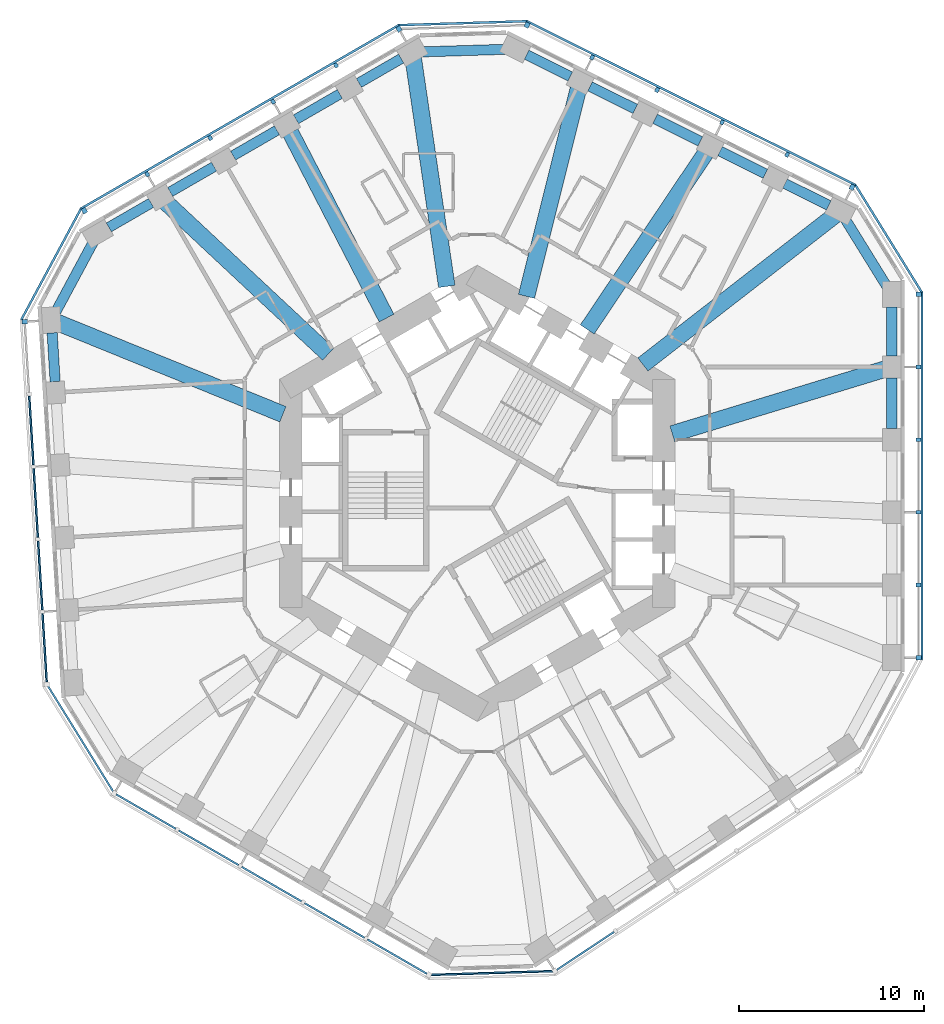
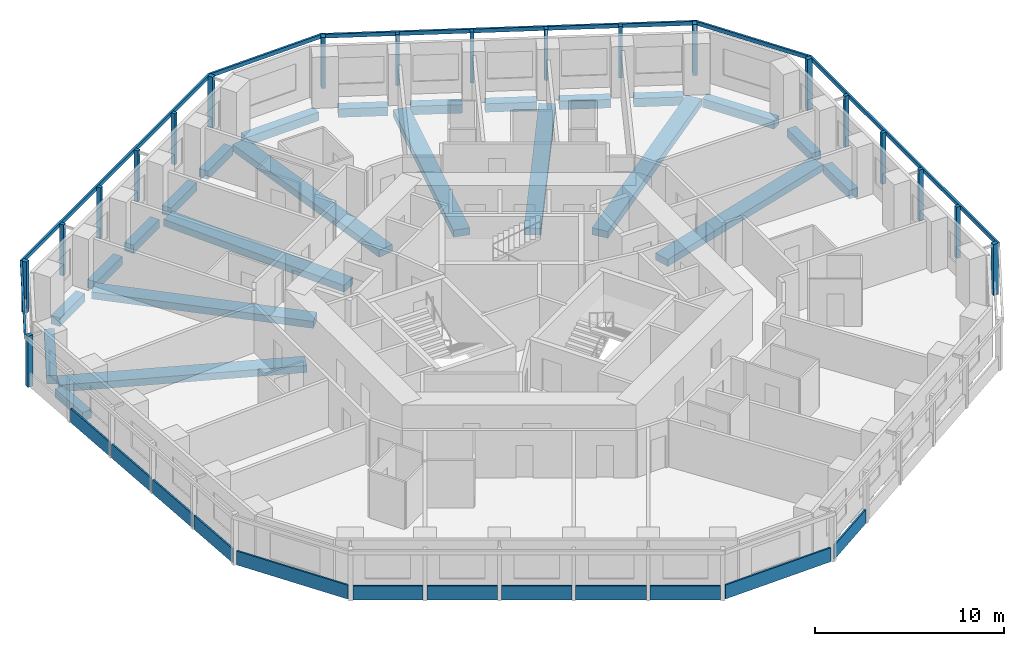
# One storey, part 2 of 12: 25 members, 24 beams, 12 plates, 11 elements without a shape of their own.
"""IFC4 building model written with IfcOpenShell, lengths in metres."""

from ifc_helpers import new_model, si_unit, direction, frame, origin, origin_2d, place, context, subcontext, project, spatial, rectangle, extrude, material, layer, layer_set, material_profile, profile_set, type_object, element, aggregate, save


model = new_model("IFC4")

# Units and contexts
model_context = context("Model", 3, precision=1e-05, world=origin(), true_north=direction((0.0, 1.0)))
body_context = subcontext(model_context, "Body", "Model", "MODEL_VIEW")
ifc_project = project(units=[si_unit("LENGTHUNIT", "METRE"), si_unit("AREAUNIT", "SQUARE_METRE"), si_unit("VOLUMEUNIT", "CUBIC_METRE"), si_unit("PLANEANGLEUNIT", "RADIAN"), si_unit("MASSUNIT", "GRAM", prefix="KILO")], contexts=[model_context])

# Site, building, storey
site_placement = place(None, origin())
site = spatial("IfcSite", under=ifc_project, at=site_placement, CompositionType="ELEMENT")
building_placement = place(site_placement, origin())
building = spatial("IfcBuilding", under=site, at=building_placement, Name="Vanh Sen Convention Tower", CompositionType="ELEMENT")
storey_placement = place(building_placement, frame((0.0, 0.0, 67.10009765625)))
storey = spatial("IfcBuildingStorey", under=building, at=storey_placement, Name="L14", CompositionType="ELEMENT", Elevation=67.10009765625)

# Curtain wall, members
ifc_material_1 = material(Name="Concrete C50/60", Category="concrete")
curtain_wall_type = type_object("IfcCurtainWallType", Name="Outer skin hotel zone", PredefinedType="NOTDEFINED", material=ifc_material_1)
curtain_wall_1_placement = place(storey_placement, origin())
curtain_wall_1 = element("IfcCurtainWall", 1, at=curtain_wall_1_placement, inside=storey, type_object=curtain_wall_type, Name="OUTER SKIN E L14", PredefinedType="NOTDEFINED")
ifc_material_profile_1 = material_profile(ifc_material_1, rectangle(XDim=0.25, YDim=0.300048828125, at=origin_2d()), Name="Outer skin precast corner fin 250 x 300")
ifc_profile_set_1 = profile_set([ifc_material_profile_1], Name="Concrete C50/60")
member_type_1 = type_object("IfcMemberType", Name="Outer skin precast corner fin 250 x 300", PredefinedType="MULLION", material=ifc_profile_set_1)
member_1_placement = place(storey_placement, frame((23.89990234375, -8.899169921875, 0.0), z_axis=(0.0, 0.0, 1.0), x_axis=(0.0, 1.0, 0.0)))
member_1 = element("IfcMember", 2, at=member_1_placement, type_object=member_type_1, Name="OUTER SKIN CORNER FIN 1 E L14", PredefinedType="MULLION", context=body_context, shape_type="SweptSolid", body=[
    extrude(rectangle(XDim=0.25, YDim=0.300048828125, at=origin_2d()), origin(), (0.0, 0.0, 1.0), 3.2998046875),
])
member_2_placement = place(storey_placement, frame((23.89990234375, 10.773681640625, 0.0), z_axis=(0.0, 0.0, 1.0), x_axis=(0.0, 1.0, 0.0)))
member_2 = element("IfcMember", 3, at=member_2_placement, type_object=member_type_1, Name="OUTER SKIN CORNER FIN 6 E L14", PredefinedType="MULLION", context=body_context, shape_type="SweptSolid", body=[
    extrude(rectangle(XDim=0.25, YDim=0.300048828125, at=origin_2d()), origin(), (0.0, 0.0, 1.0), 3.2998046875),
])

curtain_wall_2_placement = place(storey_placement, origin())
curtain_wall_2 = element("IfcCurtainWall", 4, at=curtain_wall_2_placement, inside=storey, type_object=curtain_wall_type, Name="OUTER SKIN NE L14", PredefinedType="NOTDEFINED")
member_3_placement = place(storey_placement, frame((20.305908203125, 16.581787109375, 0.0), z_axis=(0.0, 0.0, 1.0), x_axis=(-0.894934361602, 0.44619781311, 0.0)))
member_3 = element("IfcMember", 5, at=member_3_placement, type_object=member_type_1, Name="OUTER SKIN CORNER FIN 1 NE L14", PredefinedType="MULLION", context=body_context, shape_type="SweptSolid", body=[
    extrude(rectangle(XDim=0.25, YDim=0.300048828125, at=origin_2d()), origin(), (0.0, 0.0, 1.0), 3.2998046875),
])
member_4_placement = place(storey_placement, frame((2.699951171875, 25.35986328125, 0.0), z_axis=(0.0, 0.0, 1.0), x_axis=(-0.894934361602, 0.44619781311, 0.0)))
member_4 = element("IfcMember", 6, at=member_4_placement, type_object=member_type_1, Name="OUTER SKIN CORNER FIN 6 NE L14", PredefinedType="MULLION", context=body_context, shape_type="SweptSolid", body=[
    extrude(rectangle(XDim=0.25, YDim=0.300048828125, at=origin_2d()), origin(), (0.0, 0.0, 1.0), 3.2998046875),
])

curtain_wall_3_placement = place(storey_placement, origin())
curtain_wall_3 = element("IfcCurtainWall", 7, at=curtain_wall_3_placement, inside=storey, type_object=curtain_wall_type, Name="OUTER SKIN NW L14", PredefinedType="NOTDEFINED")
member_5_placement = place(storey_placement, frame((-4.242919921875, 25.147705078125, 0.0), z_axis=(0.0, 0.0, 1.0), x_axis=(-0.866025403784, -0.5, 0.0)))
member_5 = element("IfcMember", 8, at=member_5_placement, type_object=member_type_1, Name="OUTER SKIN CORNER FIN 1 NW L14", PredefinedType="MULLION", context=body_context, shape_type="SweptSolid", body=[
    extrude(rectangle(XDim=0.25, YDim=0.300048828125, at=origin_2d()), origin(), (0.0, 0.0, 1.0), 3.2998046875),
])
member_6_placement = place(storey_placement, frame((-21.2802734375, 15.31103515625, 0.0), z_axis=(0.0, 0.0, 1.0), x_axis=(-0.866025403784, -0.5, 0.0)))
member_6 = element("IfcMember", 9, at=member_6_placement, type_object=member_type_1, Name="OUTER SKIN CORNER FIN 6 NW L14", PredefinedType="MULLION", context=body_context, shape_type="SweptSolid", body=[
    extrude(rectangle(XDim=0.25, YDim=0.300048828125, at=origin_2d()), origin(), (0.0, 0.0, 1.0), 3.2998046875),
])

# Curtain wall, member
curtain_wall_4_placement = place(storey_placement, origin())
curtain_wall_4 = element("IfcCurtainWall", 10, at=curtain_wall_4_placement, inside=storey, type_object=curtain_wall_type, Name="OUTER SKIN W L14", PredefinedType="NOTDEFINED")
member_7_placement = place(storey_placement, frame((-24.51318359375, 9.294677734375, 0.0), z_axis=(0.0, 0.0, 1.0), x_axis=(0.061048539535, -0.998134798422, 0.0)))
member_7 = element("IfcMember", 11, at=member_7_placement, type_object=member_type_1, Name="OUTER SKIN CORNER FIN 1 W L14", PredefinedType="MULLION", context=body_context, shape_type="SweptSolid", body=[
    extrude(rectangle(XDim=0.25, YDim=0.300048828125, at=origin_2d()), origin(), (0.0, 0.0, 1.0), 3.2998046875),
])

# Member
ifc_material_profile_2 = material_profile(ifc_material_1, rectangle(XDim=0.199951171875, YDim=0.25, at=origin_2d()), Name="Outer skin precast fin 200 x 250")
ifc_profile_set_2 = profile_set([ifc_material_profile_2], Name="Concrete C50/60")
member_type_2 = type_object("IfcMemberType", Name="Outer skin precast fin 200 x 250", PredefinedType="MULLION", material=ifc_profile_set_2)
member_8_placement = place(storey_placement, frame((23.89990234375, -4.964599609375, 0.0), z_axis=(0.0, 0.0, 1.0), x_axis=(0.0, 1.0, 0.0)))
member_8 = element("IfcMember", 12, at=member_8_placement, type_object=member_type_2, Name="OUTER SKIN fin 2 E L14", PredefinedType="MULLION", context=body_context, shape_type="SweptSolid", body=[
    extrude(rectangle(XDim=0.199951171875, YDim=0.25, at=origin_2d()), origin(), (0.0, 0.0, 1.0), 3.2998046875),
])

member_9_placement = place(storey_placement, frame((23.89990234375, -1.030029296875, 0.0), z_axis=(0.0, 0.0, 1.0), x_axis=(0.0, 1.0, 0.0)))
member_9 = element("IfcMember", 13, at=member_9_placement, type_object=member_type_2, Name="OUTER SKIN fin 3 E L14", PredefinedType="MULLION", context=body_context, shape_type="SweptSolid", body=[
    extrude(rectangle(XDim=0.199951171875, YDim=0.25, at=origin_2d()), origin(), (0.0, 0.0, 1.0), 3.2998046875),
])

member_10_placement = place(storey_placement, frame((23.89990234375, 2.904541015625, 0.0), z_axis=(0.0, 0.0, 1.0), x_axis=(0.0, 1.0, 0.0)))
member_10 = element("IfcMember", 14, at=member_10_placement, type_object=member_type_2, Name="OUTER SKIN fin 4 E L14", PredefinedType="MULLION", context=body_context, shape_type="SweptSolid", body=[
    extrude(rectangle(XDim=0.199951171875, YDim=0.25, at=origin_2d()), origin(), (0.0, 0.0, 1.0), 3.2998046875),
])

member_11_placement = place(storey_placement, frame((23.89990234375, 6.839111328125, 0.0), z_axis=(0.0, 0.0, 1.0), x_axis=(0.0, 1.0, 0.0)))
member_11 = element("IfcMember", 15, at=member_11_placement, type_object=member_type_2, Name="OUTER SKIN fin 5 E L14", PredefinedType="MULLION", context=body_context, shape_type="SweptSolid", body=[
    extrude(rectangle(XDim=0.199951171875, YDim=0.25, at=origin_2d()), origin(), (0.0, 0.0, 1.0), 3.2998046875),
])

member_12_placement = place(storey_placement, frame((16.78466796875, 18.33740234375, 0.0), z_axis=(0.0, 0.0, 1.0), x_axis=(-0.894934361602, 0.44619781311, 0.0)))
member_12 = element("IfcMember", 16, at=member_12_placement, type_object=member_type_2, Name="OUTER SKIN fin 2 NE L14", PredefinedType="MULLION", context=body_context, shape_type="SweptSolid", body=[
    extrude(rectangle(XDim=0.199951171875, YDim=0.25, at=origin_2d()), origin(), (0.0, 0.0, 1.0), 3.2998046875),
])

member_13_placement = place(storey_placement, frame((13.263427734375, 20.093017578125, 0.0), z_axis=(0.0, 0.0, 1.0), x_axis=(-0.894934361602, 0.44619781311, 0.0)))
member_13 = element("IfcMember", 17, at=member_13_placement, type_object=member_type_2, Name="OUTER SKIN fin 3 NE L14", PredefinedType="MULLION", context=body_context, shape_type="SweptSolid", body=[
    extrude(rectangle(XDim=0.199951171875, YDim=0.25, at=origin_2d()), origin(), (0.0, 0.0, 1.0), 3.2998046875),
])

member_14_placement = place(storey_placement, frame((9.7421875, 21.8486328125, 0.0), z_axis=(0.0, 0.0, 1.0), x_axis=(-0.894934361602, 0.44619781311, 0.0)))
member_14 = element("IfcMember", 18, at=member_14_placement, type_object=member_type_2, Name="OUTER SKIN fin 4 NE L14", PredefinedType="MULLION", context=body_context, shape_type="SweptSolid", body=[
    extrude(rectangle(XDim=0.199951171875, YDim=0.25, at=origin_2d()), origin(), (0.0, 0.0, 1.0), 3.2998046875),
])

member_15_placement = place(storey_placement, frame((6.22119140625, 23.604248046875, 0.0), z_axis=(0.0, 0.0, 1.0), x_axis=(-0.894934361602, 0.44619781311, 0.0)))
member_15 = element("IfcMember", 19, at=member_15_placement, type_object=member_type_2, Name="OUTER SKIN fin 5 NE L14", PredefinedType="MULLION", context=body_context, shape_type="SweptSolid", body=[
    extrude(rectangle(XDim=0.199951171875, YDim=0.25, at=origin_2d()), origin(), (0.0, 0.0, 1.0), 3.2998046875),
])

member_16_placement = place(storey_placement, frame((-7.650390625, 23.180419921875, 0.0), z_axis=(0.0, 0.0, 1.0), x_axis=(-0.866025403784, -0.5, 0.0)))
member_16 = element("IfcMember", 20, at=member_16_placement, type_object=member_type_2, Name="OUTER SKIN fin 2 NW L14", PredefinedType="MULLION", context=body_context, shape_type="SweptSolid", body=[
    extrude(rectangle(XDim=0.199951171875, YDim=0.25, at=origin_2d()), origin(), (0.0, 0.0, 1.0), 3.2998046875),
])

member_17_placement = place(storey_placement, frame((-11.057861328125, 21.212890625, 0.0), z_axis=(0.0, 0.0, 1.0), x_axis=(-0.866025403784, -0.5, 0.0)))
member_17 = element("IfcMember", 21, at=member_17_placement, type_object=member_type_2, Name="OUTER SKIN fin 3 NW L14", PredefinedType="MULLION", context=body_context, shape_type="SweptSolid", body=[
    extrude(rectangle(XDim=0.199951171875, YDim=0.25, at=origin_2d()), origin(), (0.0, 0.0, 1.0), 3.2998046875),
])

member_18_placement = place(storey_placement, frame((-14.46533203125, 19.24560546875, 0.0), z_axis=(0.0, 0.0, 1.0), x_axis=(-0.866025403784, -0.5, 0.0)))
member_18 = element("IfcMember", 22, at=member_18_placement, type_object=member_type_2, Name="OUTER SKIN fin 4 NW L14", PredefinedType="MULLION", context=body_context, shape_type="SweptSolid", body=[
    extrude(rectangle(XDim=0.199951171875, YDim=0.25, at=origin_2d()), origin(), (0.0, 0.0, 1.0), 3.2998046875),
])

member_19_placement = place(storey_placement, frame((-17.872802734375, 17.2783203125, 0.0), z_axis=(0.0, 0.0, 1.0), x_axis=(-0.866025403784, -0.5, 0.0)))
member_19 = element("IfcMember", 23, at=member_19_placement, type_object=member_type_2, Name="OUTER SKIN fin 5 NW L14", PredefinedType="MULLION", context=body_context, shape_type="SweptSolid", body=[
    extrude(rectangle(XDim=0.199951171875, YDim=0.25, at=origin_2d()), origin(), (0.0, 0.0, 1.0), 3.2998046875),
])

ifc_material_profile_3 = material_profile(ifc_material_1, rectangle(XDim=0.1201171875, YDim=0.25, at=origin_2d()), Name="Outer skin precast spandrel band 250 x 120")
ifc_profile_set_3 = profile_set([ifc_material_profile_3], Name="Concrete C50/60")
member_type_3 = type_object("IfcMemberType", Name="Outer skin precast spandrel band 250 x 120", PredefinedType="USERDEFINED", material=ifc_profile_set_3)
member_20_placement = place(storey_placement, frame((24.0849609375, -9.024169921875, 3.1748046875), z_axis=(0.0, 1.0, 0.0), x_axis=(-1.0, 0.0, 0.0)))
member_20 = element("IfcMember", 24, at=member_20_placement, type_object=member_type_3, Name="OUTER SKIN spandrel band E L14", ObjectType="TRANSOM", PredefinedType="USERDEFINED", context=body_context, shape_type="SweptSolid", body=[
    extrude(rectangle(XDim=0.1201171875, YDim=0.25, at=origin_2d()), origin(), (0.0, 0.0, 1.0), 19.9228515625),
])

aggregate(curtain_wall_1, [member_1, member_8, member_9, member_10, member_11, member_2, member_20])

# Curtain wall, member
curtain_wall_5_placement = place(storey_placement, origin())
curtain_wall_5 = element("IfcCurtainWall", 25, at=curtain_wall_5_placement, inside=storey, type_object=curtain_wall_type, Name="OUTER SKIN CH1 L14", PredefinedType="NOTDEFINED")
member_21_placement = place(storey_placement, frame((24.07861328125, 10.88427734375, 3.1748046875), z_axis=(-0.526195864379, 0.850363400148, 0.0), x_axis=(-0.850363400148, -0.526195864379, 0.0)))
member_21 = element("IfcMember", 26, at=member_21_placement, type_object=member_type_3, Name="OUTER SKIN spandrel band CH1 L14", ObjectType="TRANSOM", PredefinedType="USERDEFINED", context=body_context, shape_type="SweptSolid", body=[
    extrude(rectangle(XDim=0.1201171875, YDim=0.25, at=origin_2d()), origin(), (0.0, 0.0, 1.0), 6.830078125),
])
aggregate(curtain_wall_5, [member_21])

# Member
member_22_placement = place(storey_placement, frame((20.500244140625, 16.69140625, 3.1748046875), z_axis=(-0.894931498167, 0.446203556227, 0.0), x_axis=(-0.446203556227, -0.894931498167, 0.0)))
member_22 = element("IfcMember", 27, at=member_22_placement, type_object=member_type_3, Name="OUTER SKIN spandrel band NE L14", ObjectType="TRANSOM", PredefinedType="USERDEFINED", context=body_context, shape_type="SweptSolid", body=[
    extrude(rectangle(XDim=0.1201171875, YDim=0.25, at=origin_2d()), origin(), (0.0, 0.0, 1.0), 19.9228515625),
])

aggregate(curtain_wall_2, [member_3, member_12, member_13, member_14, member_15, member_4, member_22])

# Curtain wall, member
curtain_wall_6_placement = place(storey_placement, origin())
curtain_wall_6 = element("IfcCurtainWall", 28, at=curtain_wall_6_placement, inside=storey, type_object=curtain_wall_type, Name="OUTER SKIN CH2 L14", PredefinedType="NOTDEFINED")
member_23_placement = place(storey_placement, frame((2.693603515625, 25.569580078125, 3.1748046875), z_axis=(-0.999533472857, -0.030542374483, 0.0), x_axis=(0.030542374483, -0.999533472857, 0.0)))
member_23 = element("IfcMember", 29, at=member_23_placement, type_object=member_type_3, Name="OUTER SKIN spandrel band CH2 L14", ObjectType="TRANSOM", PredefinedType="USERDEFINED", context=body_context, shape_type="SweptSolid", body=[
    extrude(rectangle(XDim=0.1201171875, YDim=0.25, at=origin_2d()), origin(), (0.0, 0.0, 1.0), 6.9462890625),
])
aggregate(curtain_wall_6, [member_23])

# Member
member_24_placement = place(storey_placement, frame((-4.227294921875, 25.370361328125, 3.1748046875), z_axis=(-0.866028047459, -0.499995420993, 0.0), x_axis=(0.499995420993, -0.866028047459, 0.0)))
member_24 = element("IfcMember", 30, at=member_24_placement, type_object=member_type_3, Name="OUTER SKIN spandrel band NW L14", ObjectType="TRANSOM", PredefinedType="USERDEFINED", context=body_context, shape_type="SweptSolid", body=[
    extrude(rectangle(XDim=0.1201171875, YDim=0.25, at=origin_2d()), origin(), (0.0, 0.0, 1.0), 19.923095703125),
])

aggregate(curtain_wall_3, [member_5, member_16, member_17, member_18, member_19, member_6, member_24])

# Curtain wall, member
curtain_wall_7_placement = place(storey_placement, origin())
curtain_wall_7 = element("IfcCurtainWall", 31, at=curtain_wall_7_placement, inside=storey, type_object=curtain_wall_type, Name="OUTER SKIN CH3 L14", PredefinedType="NOTDEFINED")
member_25_placement = place(storey_placement, frame((-21.46533203125, 15.410400390625, 3.1748046875), z_axis=(-0.473315186561, -0.880893145717, 0.0), x_axis=(0.880893145717, -0.473315186561, 0.0)))
member_25 = element("IfcMember", 32, at=member_25_placement, type_object=member_type_3, Name="OUTER SKIN spandrel band CH3 L14", ObjectType="TRANSOM", PredefinedType="USERDEFINED", context=body_context, shape_type="SweptSolid", body=[
    extrude(rectangle(XDim=0.1201171875, YDim=0.25, at=origin_2d()), origin(), (0.0, 0.0, 1.0), 6.829833984375),
])
aggregate(curtain_wall_7, [member_25])

# Beams
ifc_material_2 = material(Name="Concrete C50/60", Category="concrete")
ifc_material_profile_4 = material_profile(ifc_material_2, rectangle(XDim=0.89990234375, YDim=0.449951171875, at=origin_2d()), Name="RC 900X450")
ifc_profile_set_4 = profile_set([ifc_material_profile_4], Name="Concrete C50/60")
beam_type_1 = type_object("IfcBeamType", Name="Radial floor beam 900 x 450", PredefinedType="BEAM", material=ifc_profile_set_4)
beam_1_placement = place(storey_placement, frame((22.0859375, 6.728271484375, -0.47509765625), z_axis=(-0.956595291153, -0.291419712689, 0.0), x_axis=(0.291419712689, -0.956595291153, 0.0)))
element("IfcBeam", 33, at=beam_1_placement, inside=storey, type_object=beam_type_1, Name="Radial beam 03 L14", PredefinedType="BEAM", context=body_context, shape_type="SweptSolid", body=[
    extrude(rectangle(XDim=0.89990234375, YDim=0.449951171875, at=origin_2d()), origin(), (0.0, 0.0, 1.0), 12.04443359375),
])
beam_2_placement = place(storey_placement, frame((19.3955078125, 15.079345703125, -0.47509765625), z_axis=(-0.789464705625, -0.61379595842, 0.0), x_axis=(0.61379595842, -0.789464705625, 0.0)))
element("IfcBeam", 34, at=beam_2_placement, inside=storey, type_object=beam_type_1, Name="Radial beam 04 L14", PredefinedType="BEAM", context=body_context, shape_type="SweptSolid", body=[
    extrude(rectangle(XDim=0.89990234375, YDim=0.449951171875, at=origin_2d()), origin(), (0.0, 0.0, 1.0), 13.204345703125),
])
beam_3_placement = place(storey_placement, frame((12.37060546875, 18.42919921875, -0.47509765625), z_axis=(-0.557321786786, -0.830296589162, 0.0), x_axis=(0.830296589162, -0.557321786786, 0.0)))
element("IfcBeam", 35, at=beam_3_placement, inside=storey, type_object=beam_type_1, Name="Radial beam 05 L14", PredefinedType="BEAM", context=body_context, shape_type="SweptSolid", body=[
    extrude(rectangle(XDim=0.89990234375, YDim=0.449951171875, at=origin_2d()), origin(), (0.0, 0.0, 1.0), 11.507080078125),
])
beam_4_placement = place(storey_placement, frame((5.475341796875, 21.9111328125, -0.47509765625), z_axis=(-0.242431531098, -0.970168517697, 0.0), x_axis=(0.970168517697, -0.242431531098, 0.0)))
element("IfcBeam", 36, at=beam_4_placement, inside=storey, type_object=beam_type_1, Name="Radial beam 06 L14", PredefinedType="BEAM", context=body_context, shape_type="SweptSolid", body=[
    extrude(rectangle(XDim=0.89990234375, YDim=0.449951171875, at=origin_2d()), origin(), (0.0, 0.0, 1.0), 11.589111328125),
])
beam_5_placement = place(storey_placement, frame((-3.46630859375, 23.541259765625, -0.47509765625), z_axis=(0.145680012358, -0.989331761342, 0.0), x_axis=(0.989331761342, 0.145680012358, 0.0)))
element("IfcBeam", 37, at=beam_5_placement, inside=storey, type_object=beam_type_1, Name="Radial beam 07 L14", PredefinedType="BEAM", context=body_context, shape_type="SweptSolid", body=[
    extrude(rectangle(XDim=0.89990234375, YDim=0.449951171875, at=origin_2d()), origin(), (0.0, 0.0, 1.0), 12.468505859375),
])
beam_6_placement = place(storey_placement, frame((-10.114501953125, 19.53564453125, -0.47509765625), z_axis=(0.459772199707, -0.88803689359, 0.0), x_axis=(0.88803689359, 0.459772199707, 0.0)))
element("IfcBeam", 38, at=beam_6_placement, inside=storey, type_object=beam_type_1, Name="Radial beam 08 L14", PredefinedType="BEAM", context=body_context, shape_type="SweptSolid", body=[
    extrude(rectangle(XDim=0.89990234375, YDim=0.449951171875, at=origin_2d()), origin(), (0.0, 0.0, 1.0), 11.31298828125),
])
beam_7_placement = place(storey_placement, frame((-16.869873046875, 15.762939453125, -0.47509765625), z_axis=(0.730668926441, -0.68273195321, 0.0), x_axis=(0.68273195321, 0.730668926441, 0.0)))
element("IfcBeam", 39, at=beam_7_placement, inside=storey, type_object=beam_type_1, Name="Radial beam 09 L14", PredefinedType="BEAM", context=body_context, shape_type="SweptSolid", body=[
    extrude(rectangle(XDim=0.89990234375, YDim=0.449951171875, at=origin_2d()), origin(), (0.0, 0.0, 1.0), 12.044921875),
])
beam_8_placement = place(storey_placement, frame((-22.7568359375, 9.25732421875, -0.47509765625), z_axis=(0.926294416538, -0.376800549216, 0.0), x_axis=(0.376800549216, 0.926294416538, 0.0)))
element("IfcBeam", 40, at=beam_8_placement, inside=storey, type_object=beam_type_1, Name="Radial beam 10 L14", PredefinedType="BEAM", context=body_context, shape_type="SweptSolid", body=[
    extrude(rectangle(XDim=0.89990234375, YDim=0.449951171875, at=origin_2d()), origin(), (0.0, 0.0, 1.0), 13.2041015625),
])
ifc_material_profile_5 = material_profile(ifc_material_2, rectangle(XDim=0.550048828125, YDim=0.550048828125, at=origin_2d()), Name="RC 550X550")
ifc_profile_set_5 = profile_set([ifc_material_profile_5], Name="Concrete C50/60")
beam_type_2 = type_object("IfcBeamType", Name="Spandrel beam 550 x 550", PredefinedType="SPANDREL", material=ifc_profile_set_5)
beam_9_placement = place(storey_placement, frame((22.449951171875, 3.49951171875, -0.525146484375), z_axis=(0.0, 1.0, 0.0), x_axis=(-1.0, 0.0, 0.0)))
element("IfcBeam", 41, at=beam_9_placement, inside=storey, type_object=beam_type_2, Name="Spandrel beam 04 L14", PredefinedType="SPANDREL", context=body_context, shape_type="SweptSolid", body=[
    extrude(rectangle(XDim=0.550048828125, YDim=0.550048828125, at=origin_2d()), origin(), (0.0, 0.0, 1.0), 2.74462890625),
])
beam_10_placement = place(storey_placement, frame((22.449951171875, 7.43408203125, -0.525146484375), z_axis=(0.0, 1.0, 0.0), x_axis=(-1.0, 0.0, 0.0)))
element("IfcBeam", 42, at=beam_10_placement, inside=storey, type_object=beam_type_2, Name="Spandrel beam 05 L14", PredefinedType="SPANDREL", context=body_context, shape_type="SweptSolid", body=[
    extrude(rectangle(XDim=0.550048828125, YDim=0.550048828125, at=origin_2d()), origin(), (0.0, 0.0, 1.0), 2.64453125),
])
beam_11_placement = place(storey_placement, frame((22.1865234375, 11.199462890625, -0.525146484375), z_axis=(-0.526204199605, 0.850358242342, 0.0), x_axis=(-0.850358242342, -0.526204199605, 0.0)))
element("IfcBeam", 43, at=beam_11_placement, inside=storey, type_object=beam_type_2, Name="Spandrel beam 06 L14", PredefinedType="SPANDREL", context=body_context, shape_type="SweptSolid", body=[
    extrude(rectangle(XDim=0.550048828125, YDim=0.550048828125, at=origin_2d()), origin(), (0.0, 0.0, 1.0), 4.302734375),
])
beam_12_placement = place(storey_placement, frame((19.036865234375, 15.59423828125, -0.525146484375), z_axis=(-0.894943581597, 0.446179320183, 0.0), x_axis=(-0.446179320183, -0.894943581597, 0.0)))
element("IfcBeam", 44, at=beam_12_placement, inside=storey, type_object=beam_type_2, Name="Spandrel beam 07 L14", PredefinedType="SPANDREL", context=body_context, shape_type="SweptSolid", body=[
    extrude(rectangle(XDim=0.550048828125, YDim=0.550048828125, at=origin_2d()), origin(), (0.0, 0.0, 1.0), 2.64453125),
])
for number, where, z_axis, x_axis, name in (
    (45, (15.605224609375, 17.30517578125, -0.525146484375), (-0.894942515368, 0.44618145881, 0.0), (-0.44618145881, -0.894942515368, 0.0), "Spandrel beam 08 L14"),
    (46, (12.083984375, 19.060791015625, -0.525146484375), (-0.894942515368, 0.44618145881, 0.0), (-0.44618145881, -0.894942515368, 0.0), "Spandrel beam 09 L14"),
):
    element("IfcBeam", number, at=place(storey_placement, frame(where, z_axis=z_axis, x_axis=x_axis)), inside=storey, type_object=beam_type_2, Name=name, PredefinedType="SPANDREL", context=body_context, shape_type="SweptSolid", body=[
        extrude(rectangle(XDim=0.550048828125, YDim=0.550048828125, at=origin_2d()), origin(), (0.0, 0.0, 1.0), 2.74462890625),
    ])
beam_13_placement = place(storey_placement, frame((8.562744140625, 20.81640625, -0.525146484375), z_axis=(-0.894924804947, 0.44621698028, 0.0), x_axis=(-0.44621698028, -0.894924804947, 0.0)))
element("IfcBeam", 47, at=beam_13_placement, inside=storey, type_object=beam_type_2, Name="Spandrel beam 10 L14", PredefinedType="SPANDREL", context=body_context, shape_type="SweptSolid", body=[
    extrude(rectangle(XDim=0.550048828125, YDim=0.550048828125, at=origin_2d()), origin(), (0.0, 0.0, 1.0), 2.744384765625),
])
beam_14_placement = place(storey_placement, frame((5.04150390625, 22.572021484375, -0.525146484375), z_axis=(-0.894943581597, 0.446179320183, 0.0), x_axis=(-0.446179320183, -0.894943581597, 0.0)))
element("IfcBeam", 48, at=beam_14_placement, inside=storey, type_object=beam_type_2, Name="Spandrel beam 11 L14", PredefinedType="SPANDREL", context=body_context, shape_type="SweptSolid", body=[
    extrude(rectangle(XDim=0.550048828125, YDim=0.550048828125, at=origin_2d()), origin(), (0.0, 0.0, 1.0), 2.64453125),
])
beam_15_placement = place(storey_placement, frame((1.513671875, 24.045654296875, -0.525146484375), z_axis=(-0.999533924707, -0.030527583592, 0.0), x_axis=(0.030527583592, -0.999533924707, 0.0)))
element("IfcBeam", 49, at=beam_15_placement, inside=storey, type_object=beam_type_2, Name="Spandrel beam 12 L14", PredefinedType="SPANDREL", context=body_context, shape_type="SweptSolid", body=[
    extrude(rectangle(XDim=0.550048828125, YDim=0.550048828125, at=origin_2d()), origin(), (0.0, 0.0, 1.0), 4.49462890625),
])
beam_16_placement = place(storey_placement, frame((-4.119873046875, 23.54443359375, -0.525146484375), z_axis=(-0.866030315638, -0.499991492324, 0.0), x_axis=(0.499991492324, -0.866030315638, 0.0)))
element("IfcBeam", 50, at=beam_16_placement, inside=storey, type_object=beam_type_2, Name="Spandrel beam 13 L14", PredefinedType="SPANDREL", context=body_context, shape_type="SweptSolid", body=[
    extrude(rectangle(XDim=0.550048828125, YDim=0.550048828125, at=origin_2d()), origin(), (0.0, 0.0, 1.0), 2.64453125),
])
beam_17_placement = place(storey_placement, frame((-7.44091796875, 21.627197265625, -0.525146484375), z_axis=(-0.866006330792, -0.500033033937, 0.0), x_axis=(0.500033033937, -0.866006330792, 0.0)))
element("IfcBeam", 51, at=beam_17_placement, inside=storey, type_object=beam_type_2, Name="Spandrel beam 14 L14", PredefinedType="SPANDREL", context=body_context, shape_type="SweptSolid", body=[
    extrude(rectangle(XDim=0.550048828125, YDim=0.550048828125, at=origin_2d()), origin(), (0.0, 0.0, 1.0), 2.744384765625),
])
for number, where, z_axis, x_axis, name in (
    (52, (-10.84814453125, 19.659912109375, -0.525146484375), (-0.866028570666, -0.499994514761, 0.0), (0.499994514761, -0.866028570666, 0.0), "Spandrel beam 15 L14"),
    (53, (-14.255615234375, 17.6923828125, -0.525146484375), (-0.866067086513, -0.499927796446, 0.0), (0.499927796446, -0.866067086513, 0.0), "Spandrel beam 16 L14"),
):
    element("IfcBeam", number, at=place(storey_placement, frame(where, z_axis=z_axis, x_axis=x_axis)), inside=storey, type_object=beam_type_2, Name=name, PredefinedType="SPANDREL", context=body_context, shape_type="SweptSolid", body=[
        extrude(rectangle(XDim=0.550048828125, YDim=0.550048828125, at=origin_2d()), origin(), (0.0, 0.0, 1.0), 2.74462890625),
    ])
beam_18_placement = place(storey_placement, frame((-17.6630859375, 15.72509765625, -0.525146484375), z_axis=(-0.866030315638, -0.499991492324, 0.0), x_axis=(0.499991492324, -0.866030315638, 0.0)))
element("IfcBeam", 54, at=beam_18_placement, inside=storey, type_object=beam_type_2, Name="Spandrel beam 17 L14", PredefinedType="SPANDREL", context=body_context, shape_type="SweptSolid", body=[
    extrude(rectangle(XDim=0.550048828125, YDim=0.550048828125, at=origin_2d()), origin(), (0.0, 0.0, 1.0), 2.64453125),
])
beam_19_placement = place(storey_placement, frame((-20.792236328125, 13.6142578125, -0.525146484375), z_axis=(-0.473348459073, -0.88087526716, 0.0), x_axis=(0.88087526716, -0.473348459073, 0.0)))
element("IfcBeam", 55, at=beam_19_placement, inside=storey, type_object=beam_type_2, Name="Spandrel beam 18 L14", PredefinedType="SPANDREL", context=body_context, shape_type="SweptSolid", body=[
    extrude(rectangle(XDim=0.550048828125, YDim=0.550048828125, at=origin_2d()), origin(), (0.0, 0.0, 1.0), 4.302490234375),
])
beam_20_placement = place(storey_placement, frame((-23.0234375, 8.689453125, -0.525146484375), z_axis=(0.061113817246, -0.998130803723, 0.0), x_axis=(0.998130803723, 0.061113817246, 0.0)))
element("IfcBeam", 56, at=beam_20_placement, inside=storey, type_object=beam_type_2, Name="Spandrel beam 19 L14", PredefinedType="SPANDREL", context=body_context, shape_type="SweptSolid", body=[
    extrude(rectangle(XDim=0.550048828125, YDim=0.550048828125, at=origin_2d()), origin(), (0.0, 0.0, 1.0), 2.64453125),
])

# Plate
ifc_layer = layer(ifc_material_1, 0.10009765625)
ifc_layer_set = layer_set([ifc_layer], Name="Concrete C50/60")
plate_type = type_object("IfcPlateType", Name="Outer skin precast screen panel 100", PredefinedType="CURTAIN_PANEL", material=ifc_layer_set)
plate_1_placement = place(storey_placement, frame((-24.15283203125, 3.40380859375, 0.0), z_axis=(0.0, 0.0, 1.0), x_axis=(0.061048539535, -0.998134798422, 0.0)))
plate_1 = element("IfcPlate", 57, at=plate_1_placement, type_object=plate_type, Name="OUTER SKIN screen panel W-2", PredefinedType="CURTAIN_PANEL", context=body_context, shape_type="SweptSolid", body=[
    extrude(rectangle(XDim=3.734619140625, YDim=0.10009765625, at=origin_2d()), origin(), (0.0, 0.0, 1.0), 0.89990234375),
])

plate_2_placement = place(storey_placement, frame((-23.91259765625, -0.523681640625, 0.0), z_axis=(0.0, 0.0, 1.0), x_axis=(0.061046797461, -0.99813490497, 0.0)))
plate_2 = element("IfcPlate", 58, at=plate_2_placement, type_object=plate_type, Name="OUTER SKIN screen panel W-3", PredefinedType="CURTAIN_PANEL", context=body_context, shape_type="SweptSolid", body=[
    extrude(rectangle(XDim=3.734619140625, YDim=0.10009765625, at=origin_2d()), origin(), (0.0, 0.0, 1.0), 0.89990234375),
])

plate_3_placement = place(storey_placement, frame((-23.67236328125, -4.45068359375, 0.0), z_axis=(0.0, 0.0, 1.0), x_axis=(0.061048539535, -0.998134798422, 0.0)))
plate_3 = element("IfcPlate", 59, at=plate_3_placement, type_object=plate_type, Name="OUTER SKIN screen panel W-4", PredefinedType="CURTAIN_PANEL", context=body_context, shape_type="SweptSolid", body=[
    extrude(rectangle(XDim=3.734619140625, YDim=0.10009765625, at=origin_2d()), origin(), (0.0, 0.0, 1.0), 0.89990234375),
])

plate_4_placement = place(storey_placement, frame((-23.43310546875, -8.365478515625, 0.0), z_axis=(0.0, 0.0, 1.0), x_axis=(0.061046797461, -0.99813490497, 0.0)))
plate_4 = element("IfcPlate", 60, at=plate_4_placement, type_object=plate_type, Name="OUTER SKIN screen panel W-5", PredefinedType="CURTAIN_PANEL", context=body_context, shape_type="SweptSolid", body=[
    extrude(rectangle(XDim=3.709716796875, YDim=0.10009765625, at=origin_2d()), origin(), (0.0, 0.0, 1.0), 0.89990234375),
])

aggregate(curtain_wall_4, [member_7, plate_1, plate_2, plate_3, plate_4])

# Curtain wall, plate
curtain_wall_8_placement = place(storey_placement, origin())
curtain_wall_8 = element("IfcCurtainWall", 61, at=curtain_wall_8_placement, inside=storey, type_object=curtain_wall_type, Name="OUTER SKIN CH4 L14", PredefinedType="NOTDEFINED")
plate_5_placement = place(storey_placement, frame((-21.484619140625, -13.295166015625, 0.0), z_axis=(0.0, 0.0, 1.0), x_axis=(0.526205018755, -0.850357735448, 0.0)))
plate_5 = element("IfcPlate", 62, at=plate_5_placement, type_object=plate_type, Name="OUTER SKIN screen panel CH4-1", PredefinedType="CURTAIN_PANEL", context=body_context, shape_type="SweptSolid", body=[
    extrude(rectangle(XDim=6.6962890625, YDim=0.10009765625, at=origin_2d()), origin(), (0.0, 0.0, 1.0), 0.89990234375),
])
aggregate(curtain_wall_8, [plate_5])

# Curtain wall, plates
curtain_wall_9_placement = place(storey_placement, origin())
curtain_wall_9 = element("IfcCurtainWall", 63, at=curtain_wall_9_placement, inside=storey, type_object=curtain_wall_type, Name="OUTER SKIN SW L14", PredefinedType="NOTDEFINED")
plate_6_placement = place(storey_placement, frame((-17.9423828125, -17.23828125, 0.0), z_axis=(0.0, 0.0, 1.0), x_axis=(0.866028021766, -0.499995465495, 0.0)))
plate_6 = element("IfcPlate", 64, at=plate_6_placement, type_object=plate_type, Name="OUTER SKIN screen panel SW-1", PredefinedType="CURTAIN_PANEL", context=body_context, shape_type="SweptSolid", body=[
    extrude(rectangle(XDim=3.709716796875, YDim=0.10009765625, at=origin_2d()), origin(), (0.0, 0.0, 1.0), 0.89990234375),
])
plate_7_placement = place(storey_placement, frame((-14.5458984375, -19.19921875, 0.0), z_axis=(0.0, 0.0, 1.0), x_axis=(0.866032385017, -0.499987907955, 0.0)))
plate_7 = element("IfcPlate", 65, at=plate_7_placement, type_object=plate_type, Name="OUTER SKIN screen panel SW-2", PredefinedType="CURTAIN_PANEL", context=body_context, shape_type="SweptSolid", body=[
    extrude(rectangle(XDim=3.734619140625, YDim=0.10009765625, at=origin_2d()), origin(), (0.0, 0.0, 1.0), 0.89990234375),
])
plate_8_placement = place(storey_placement, frame((-11.138427734375, -21.16650390625, 0.0), z_axis=(0.0, 0.0, 1.0), x_axis=(0.866028021766, -0.499995465495, 0.0)))
plate_8 = element("IfcPlate", 66, at=plate_8_placement, type_object=plate_type, Name="OUTER SKIN screen panel SW-3", PredefinedType="CURTAIN_PANEL", context=body_context, shape_type="SweptSolid", body=[
    extrude(rectangle(XDim=3.734619140625, YDim=0.10009765625, at=origin_2d()), origin(), (0.0, 0.0, 1.0), 0.89990234375),
])
plate_9_placement = place(storey_placement, frame((-7.73095703125, -23.1337890625, 0.0), z_axis=(0.0, 0.0, 1.0), x_axis=(0.866028021766, -0.499995465495, 0.0)))
plate_9 = element("IfcPlate", 67, at=plate_9_placement, type_object=plate_type, Name="OUTER SKIN screen panel SW-4", PredefinedType="CURTAIN_PANEL", context=body_context, shape_type="SweptSolid", body=[
    extrude(rectangle(XDim=3.734619140625, YDim=0.10009765625, at=origin_2d()), origin(), (0.0, 0.0, 1.0), 0.89990234375),
])
plate_10_placement = place(storey_placement, frame((-4.334228515625, -25.094970703125, 0.0), z_axis=(0.0, 0.0, 1.0), x_axis=(0.866021040428, -0.500007557478, 0.0)))
plate_10 = element("IfcPlate", 68, at=plate_10_placement, type_object=plate_type, Name="OUTER SKIN screen panel SW-5", PredefinedType="CURTAIN_PANEL", context=body_context, shape_type="SweptSolid", body=[
    extrude(rectangle(XDim=3.70947265625, YDim=0.10009765625, at=origin_2d()), origin(), (0.0, 0.0, 1.0), 0.89990234375),
])
aggregate(curtain_wall_9, [plate_6, plate_7, plate_8, plate_9, plate_10])

# Curtain wall, plate
curtain_wall_10_placement = place(storey_placement, origin())
curtain_wall_10 = element("IfcCurtainWall", 69, at=curtain_wall_10_placement, inside=storey, type_object=curtain_wall_type, Name="OUTER SKIN CH5 L14", PredefinedType="NOTDEFINED")
plate_11_placement = place(storey_placement, frame((0.793701171875, -25.98046875, 0.0), z_axis=(0.0, 0.0, 1.0), x_axis=(0.999533484231, 0.03054200224, 0.0)))
plate_11 = element("IfcPlate", 70, at=plate_11_placement, type_object=plate_type, Name="OUTER SKIN screen panel CH5-1", PredefinedType="CURTAIN_PANEL", context=body_context, shape_type="SweptSolid", body=[
    extrude(rectangle(XDim=6.580078125, YDim=0.10009765625, at=origin_2d()), origin(), (0.0, 0.0, 1.0), 0.89990234375),
])
aggregate(curtain_wall_10, [plate_11])

curtain_wall_11_placement = place(storey_placement, origin())
curtain_wall_11 = element("IfcCurtainWall", 71, at=curtain_wall_11_placement, inside=storey, type_object=curtain_wall_type, Name="OUTER SKIN SE L14", PredefinedType="NOTDEFINED")
plate_12_placement = place(storey_placement, frame((5.858154296875, -24.783447265625, 0.0), z_axis=(0.0, 0.0, 1.0), x_axis=(0.833891601892, 0.55192825285, 0.0)))
plate_12 = element("IfcPlate", 72, at=plate_12_placement, type_object=plate_type, Name="OUTER SKIN screen panel SE-1", PredefinedType="CURTAIN_PANEL", context=body_context, shape_type="SweptSolid", body=[
    extrude(rectangle(XDim=3.709716796875, YDim=0.10009765625, at=origin_2d()), origin(), (0.0, 0.0, 1.0), 0.89990234375),
])
aggregate(curtain_wall_11, [plate_12])

save(model, "model.ifc")
